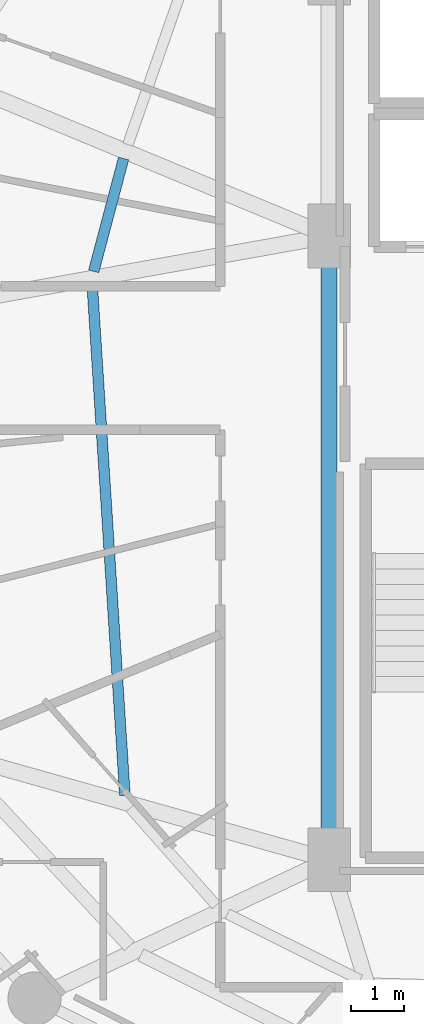
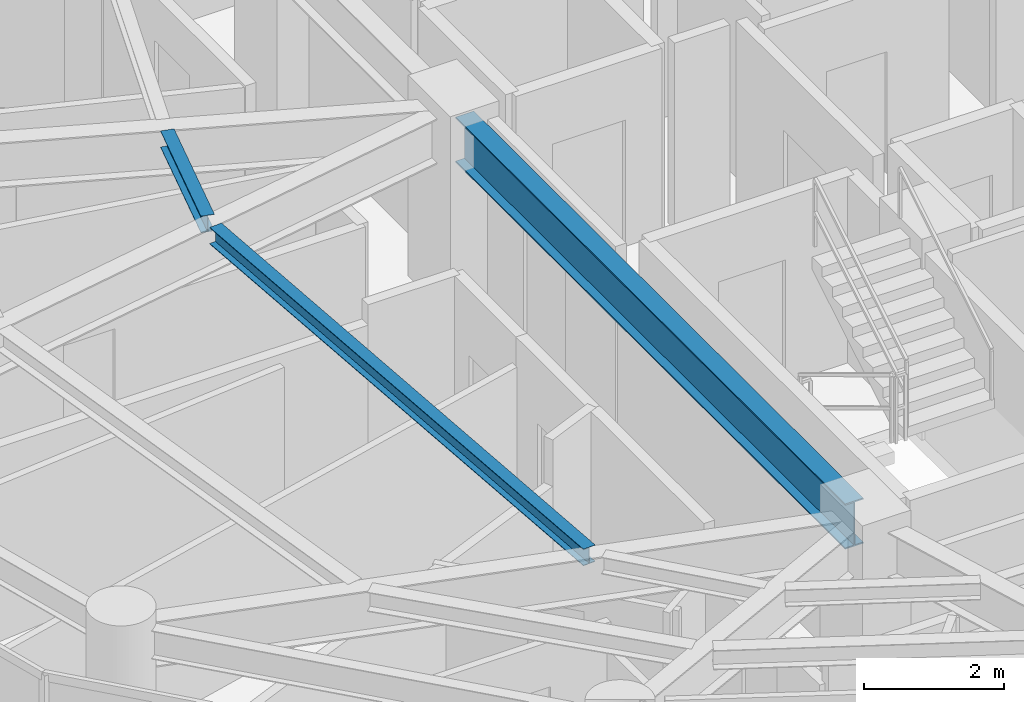
# One storey, part 7 of 28: 3 beams.
"""IFC4 building model written with IfcOpenShell, lengths in metres."""

from ifc_helpers import new_model, si_unit, direction, frame, origin, origin_2d, place, context, subcontext, project, spatial, i_section, extrude, material, material_profile, profile_set, type_object, element, save


model = new_model("IFC4")

# Units and contexts
model_context = context("Model", 3, precision=1e-05, world=origin(), true_north=direction((0.0, 1.0)))
body_context = subcontext(model_context, "Body", "Model", "MODEL_VIEW")
ifc_project = project(units=[si_unit("LENGTHUNIT", "METRE"), si_unit("AREAUNIT", "SQUARE_METRE"), si_unit("VOLUMEUNIT", "CUBIC_METRE"), si_unit("PLANEANGLEUNIT", "RADIAN"), si_unit("MASSUNIT", "GRAM", prefix="KILO")], contexts=[model_context])

# Site, building, storey
site_placement = place(None, origin())
site = spatial("IfcSite", under=ifc_project, at=site_placement, CompositionType="ELEMENT")
building_placement = place(site_placement, origin())
building = spatial("IfcBuilding", under=site, at=building_placement, Name="Vorneva Point Tower", CompositionType="ELEMENT")
storey_placement = place(building_placement, frame((0.0, 0.0, 160.60009765625)))
storey = spatial("IfcBuildingStorey", under=building, at=storey_placement, Name="L43", CompositionType="ELEMENT", Elevation=160.60009765625)

# Beams
ifc_material = material(Name="Steel S355", Category="steel")
ifc_material_profile_1 = material_profile(ifc_material, i_section(OverallWidth=0.300048828125, OverallDepth=0.7880859375, WebThickness=0.014404296875, FlangeThickness=0.02197265625, at=origin_2d()), Name="80Sh1")
ifc_profile_set_1 = profile_set([ifc_material_profile_1], Name="Steel S355")
beam_type_1 = type_object("IfcBeamType", Name="BM-GRD-80Sh1", PredefinedType="USERDEFINED", material=ifc_profile_set_1)
beam_1_placement = place(storey_placement, frame((27.25, 16.77001953125, 2.845947265625), z_axis=(0.0, 1.0, 0.0), x_axis=(-1.0, 0.0, 0.0)))
element("IfcBeam", 1, at=beam_1_placement, inside=storey, type_object=beam_type_1, Name="L43 Core Tie Girder CT1", ObjectType="GIRDER", PredefinedType="USERDEFINED", context=body_context, shape_type="SweptSolid", body=[
    extrude(i_section(OverallWidth=0.300048828125, OverallDepth=0.7880859375, WebThickness=0.014404296875, FlangeThickness=0.02197265625, at=origin_2d()), origin(), (0.0, 0.0, 1.0), 11.10986328125),
])
ifc_material_profile_2 = material_profile(ifc_material, i_section(OverallWidth=0.199951171875, OverallDepth=0.291015625, WebThickness=0.008056640625, FlangeThickness=0.010986328125, at=origin_2d()), Name="30Sh1")
ifc_profile_set_2 = profile_set([ifc_material_profile_2], Name="Steel S355")
beam_type_2 = type_object("IfcBeamType", Name="BM-SEC-30Sh1", PredefinedType="BEAM", material=ifc_profile_set_2)
beam_2_placement = place(storey_placement, frame((23.379638671875, 29.660400390625, 3.094482421875), z_axis=(-0.25614268373, -0.966638984095, 0.0), x_axis=(0.966638984095, -0.25614268373, 0.0)))
element("IfcBeam", 2, at=beam_2_placement, inside=storey, type_object=beam_type_2, Name="L43 Secondary Floor Beam 2.08", PredefinedType="BEAM", context=body_context, shape_type="SweptSolid", body=[
    extrude(i_section(OverallWidth=0.199951171875, OverallDepth=0.291015625, WebThickness=0.008056640625, FlangeThickness=0.010986328125, at=origin_2d()), origin(), (0.0, 0.0, 1.0), 2.199951171875),
])
beam_3_placement = place(storey_placement, frame((22.78955078125, 27.262939453125, 3.094482421875), z_axis=(0.063960566948, -0.99795242666, 0.0), x_axis=(0.99795242666, 0.063960566948, 0.0)))
element("IfcBeam", 3, at=beam_3_placement, inside=storey, type_object=beam_type_2, Name="L43 Secondary Floor Beam 2.09", PredefinedType="BEAM", context=body_context, shape_type="SweptSolid", body=[
    extrude(i_section(OverallWidth=0.199951171875, OverallDepth=0.291015625, WebThickness=0.008056640625, FlangeThickness=0.010986328125, at=origin_2d()), origin(), (0.0, 0.0, 1.0), 9.615234375),
])

save(model, "model.ifc")
